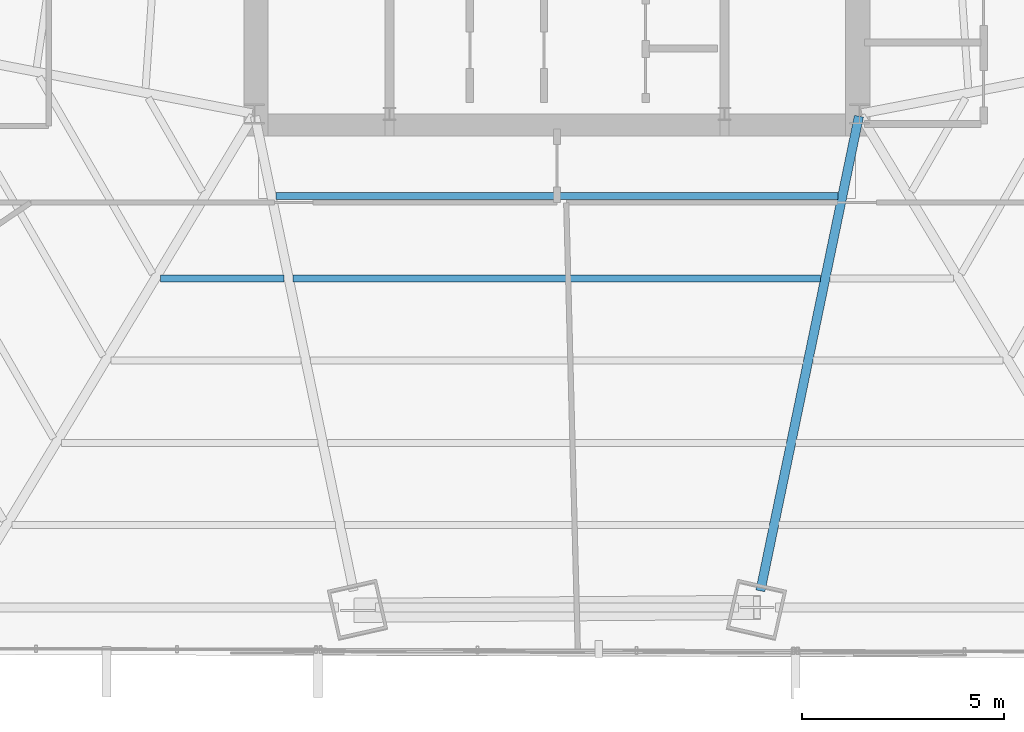
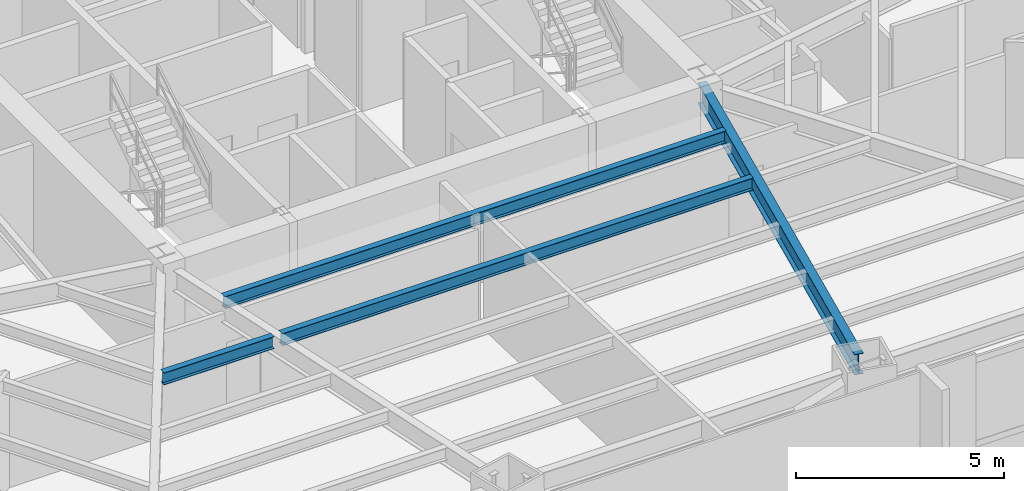
# One storey, part 7 of 33: 4 beams.
"""IFC4 building model written with IfcOpenShell, lengths in metres."""

from ifc_helpers import new_model, si_unit, direction, frame, origin, origin_2d, place, context, subcontext, project, spatial, i_section, extrude, source, transform, mapped, material, material_profile, profile_set, type_object, type_shapes, element, save


model = new_model("IFC4")

# Units and contexts
model_context = context("Model", 3, precision=1e-05, world=origin(), true_north=direction((0.0, 1.0)))
body_context = subcontext(model_context, "Body", "Model", "MODEL_VIEW")
ifc_project = project(units=[si_unit("LENGTHUNIT", "METRE"), si_unit("AREAUNIT", "SQUARE_METRE"), si_unit("VOLUMEUNIT", "CUBIC_METRE"), si_unit("PLANEANGLEUNIT", "RADIAN"), si_unit("MASSUNIT", "GRAM", prefix="KILO")], contexts=[model_context])

# Site, building, storey
site_placement = place(None, origin())
site = spatial("IfcSite", under=ifc_project, at=site_placement, CompositionType="ELEMENT")
building_placement = place(site_placement, origin())
building = spatial("IfcBuilding", under=site, at=building_placement, Name="Caelisora Broadcast Tower", CompositionType="ELEMENT")
storey_placement = place(building_placement, frame((0.0, 0.0, 42.199951171875)))
storey = spatial("IfcBuildingStorey", under=building, at=storey_placement, Name="L10", CompositionType="ELEMENT", Elevation=42.199951171875)

# Beams
ifc_material = material(Name="Steel Grade 350 (AS/NZS 3679.1)", Category="steel")
ifc_material_profile_1 = material_profile(ifc_material, i_section(OverallWidth=0.22802734375, OverallDepth=0.602294921875, WebThickness=0.010498046875, FlangeThickness=0.014892578125, at=origin_2d()), Name="Steel Grade 350 (AS/NZS 3679.1)")
ifc_profile_set_1 = profile_set([ifc_material_profile_1], Name="Steel Grade 350 (AS/NZS 3679.1)")
beam_type_1 = type_object("IfcBeamType", Name="PG04", PredefinedType="BEAM", material=ifc_profile_set_1)
shared_shape_1 = source(origin(), body_context, "Body", "SweptSolid", [
    extrude(i_section(OverallWidth=0.22802734375, OverallDepth=0.602294921875, WebThickness=0.010498046875, FlangeThickness=0.014892578125, at=origin_2d()), origin(), (0.0, 0.0, 1.0), 12.01953125),
])
type_shapes(beam_type_1, [shared_shape_1])
beam_1_placement = place(storey_placement, frame((45.48779296875, 17.34130859375, 3.098876953125), z_axis=(-0.203243645956, -0.979128194047, 0.0), x_axis=(0.979128194047, -0.203243645956, 0.0)))
element("IfcBeam", 1, at=beam_1_placement, inside=storey, type_object=beam_type_1, Name="L10 beam PG04", PredefinedType="BEAM", context=body_context, shape_type="MappedRepresentation", body=[
    mapped(shared_shape_1, transform((0.0, 0.0, 0.0), scale=1.0)),
])
ifc_material_profile_2 = material_profile(ifc_material, i_section(OverallWidth=0.172119140625, OverallDepth=0.358642578125, WebThickness=0.008056640625, FlangeThickness=0.012939453125, at=origin_2d()), Name="Steel Grade 350 (AS/NZS 3679.1)")
ifc_profile_set_2 = profile_set([ifc_material_profile_2], Name="Steel Grade 350 (AS/NZS 3679.1)")
beam_type_2 = type_object("IfcBeamType", Name="SB02", PredefinedType="JOIST", material=ifc_profile_set_2)
shared_shape_2 = source(origin(), body_context, "Body", "SweptSolid", [
    extrude(i_section(OverallWidth=0.172119140625, OverallDepth=0.358642578125, WebThickness=0.008056640625, FlangeThickness=0.012939453125, at=origin_2d()), origin(), (0.0, 0.0, 1.0), 3.062744140625),
])
beam_2_placement = place(storey_placement, frame((28.170654296875, 13.320556640625, 3.220703125), z_axis=(1.0, 0.0, 0.0), x_axis=(0.0, 1.0, 0.0)))
element("IfcBeam", 2, at=beam_2_placement, inside=storey, type_object=beam_type_2, Name="L10 beam SB02", PredefinedType="JOIST", context=body_context, shape_type="MappedRepresentation", body=[
    mapped(shared_shape_2, transform((0.0, 0.0, 0.0), scale=1.0)),
])
shared_shape_3 = source(origin(), body_context, "Body", "SweptSolid", [
    extrude(i_section(OverallWidth=0.172119140625, OverallDepth=0.358642578125, WebThickness=0.008056640625, FlangeThickness=0.012939453125, at=origin_2d()), origin(), (0.0, 0.0, 1.0), 13.92626953125),
])
beam_3_placement = place(storey_placement, frame((31.036865234375, 15.360107421875, 3.220703125), z_axis=(1.0, 0.0, 0.0), x_axis=(0.0, 1.0, 0.0)))
element("IfcBeam", 3, at=beam_3_placement, inside=storey, type_object=beam_type_2, Name="L10 beam SB02", PredefinedType="JOIST", context=body_context, shape_type="MappedRepresentation", body=[
    mapped(shared_shape_3, transform((0.0, 0.0, 0.0), scale=1.0)),
])
shared_shape_4 = source(origin(), body_context, "Body", "SweptSolid", [
    extrude(i_section(OverallWidth=0.172119140625, OverallDepth=0.358642578125, WebThickness=0.008056640625, FlangeThickness=0.012939453125, at=origin_2d()), origin(), (0.0, 0.0, 1.0), 13.07958984375),
])
type_shapes(beam_type_2, [shared_shape_2, shared_shape_3, shared_shape_4])
beam_4_placement = place(storey_placement, frame((31.460205078125, 13.320556640625, 3.220703125), z_axis=(1.0, 0.0, 0.0), x_axis=(0.0, 1.0, 0.0)))
element("IfcBeam", 4, at=beam_4_placement, inside=storey, type_object=beam_type_2, Name="L10 beam SB02", PredefinedType="JOIST", context=body_context, shape_type="MappedRepresentation", body=[
    mapped(shared_shape_4, transform((0.0, 0.0, 0.0), scale=1.0)),
])

save(model, "model.ifc")
